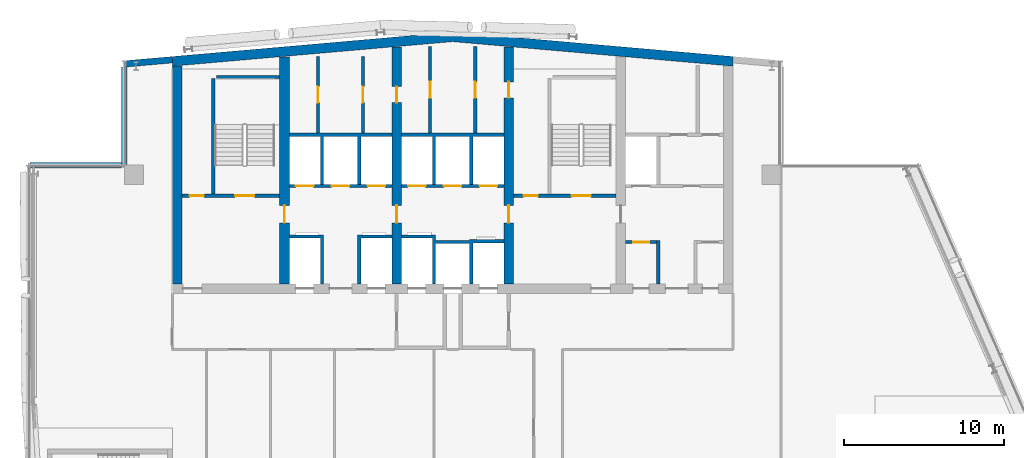
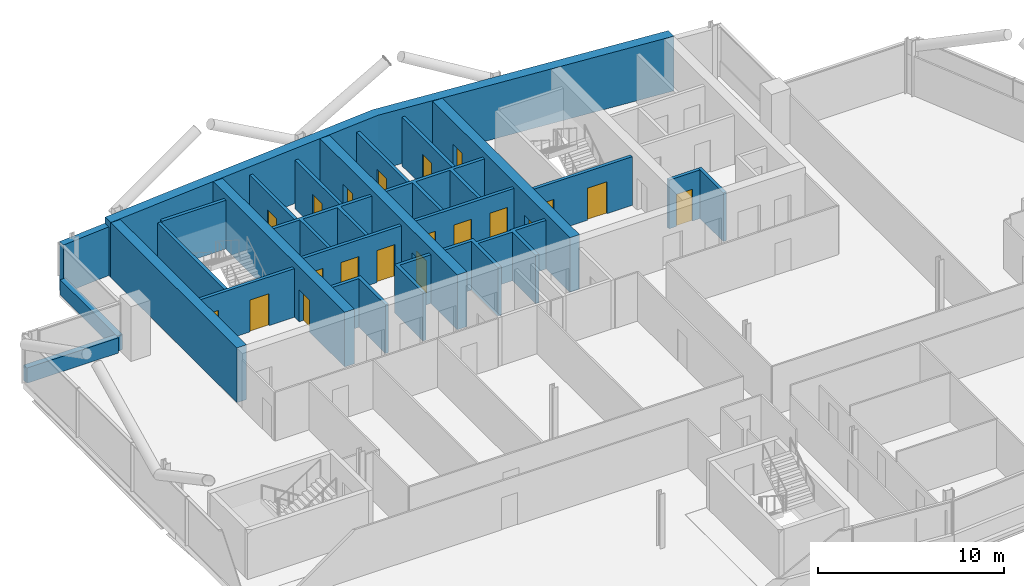
# One storey, part 18 of 26: 25 walls, 20 doors, 20 openings.
"""IFC4 building model written with IfcOpenShell, lengths in metres."""

import ifcopenshell
import ifcopenshell.guid

model = None  # the IFC model being written
_history = None  # IfcOwnerHistory: only IFC2X3 demands one
_inside = {}  # id of a spatial element -> (the spatial element, [elements in it])
_under = {}  # id of a project, library or spatial element -> (it, [spatial elements below it])
_declared = {}  # id of a project -> (the project, [libraries it declares])
_typed = {}  # id of a type object -> (the type object, [elements of that type])
_made_of = {}  # id of a material, layer set ... -> (it, [elements and type objects made of it])


def new_model(schema):
    """Start an empty IFC model of exactly this schema.

    Asked for "IFC4X3", IfcOpenShell would pick the latest addendum, in which some entities
    have other attributes; the version numbers below select the first issue.
    IFC2X3 requires an IfcOwnerHistory on every rooted entity: one is made here for all.
    """
    global model, _history
    if schema == "IFC4X3":
        model = ifcopenshell.file(schema_version=(4, 3, 0, 0))
    else:
        model = ifcopenshell.file(schema=schema)
    _inside.clear()
    _under.clear()
    _declared.clear()
    _typed.clear()
    _made_of.clear()
    _history = None
    if model.schema == "IFC2X3":
        org = make("IfcOrganization", Name="unknown")
        user = make(
            "IfcPersonAndOrganization",
            ThePerson=make("IfcPerson", FamilyName="unknown"),
            TheOrganization=org,
        )
        app = make(
            "IfcApplication",
            ApplicationDeveloper=org,
            Version="unknown",
            ApplicationFullName="unknown",
            ApplicationIdentifier="unknown",
        )
        _history = make(
            "IfcOwnerHistory",
            OwningUser=user,
            OwningApplication=app,
            ChangeAction="ADDED",
            CreationDate=0,
        )
    return model


def make(cls, **values):
    """One entity of the class cls with the attributes given. An attribute that is None is left unset."""
    return model.create_entity(
        cls, **{name: value for name, value in values.items() if value is not None}
    )


def rooted(cls, **values):
    """An entity with a GlobalId (a new one), such as an element, a storey or a relation."""
    return make(cls, GlobalId=ifcopenshell.guid.new(), OwnerHistory=_history, **values)


def si_unit(unit_type, name, prefix=None):
    """IfcSIUnit, for example si_unit("LENGTHUNIT", "METRE", prefix="MILLI")."""
    return make("IfcSIUnit", UnitType=unit_type, Prefix=prefix, Name=name)


def assignment(units):
    """IfcUnitAssignment: the units of a project."""
    return None if units is None else make("IfcUnitAssignment", Units=units)


def point(xyz):
    """IfcCartesianPoint."""
    return None if xyz is None else make("IfcCartesianPoint", Coordinates=xyz)


def direction(xyz):
    """IfcDirection."""
    return None if xyz is None else make("IfcDirection", DirectionRatios=xyz)


def frame(location, z_axis=None, x_axis=None):
    """IfcAxis2Placement3D, a coordinate frame: its origin and axes. An axis left out is left unset."""
    return make(
        "IfcAxis2Placement3D",
        Location=point(location),
        Axis=direction(z_axis),
        RefDirection=direction(x_axis),
    )


def frame_2d(location, x_axis=None):
    """IfcAxis2Placement2D, a coordinate frame in the plane: its origin and x axis."""
    return make(
        "IfcAxis2Placement2D", Location=point(location), RefDirection=direction(x_axis)
    )


def origin():
    """The frame at (0, 0, 0) with its axes left unset."""
    return frame((0.0, 0.0, 0.0))


def place(relative_to, where):
    """IfcLocalPlacement: puts the frame where relative to a parent placement (None: the world)."""
    return make(
        "IfcLocalPlacement", PlacementRelTo=relative_to, RelativePlacement=where
    )


def context(
    kind, dimensions, precision=None, world=None, true_north=None, identifier=None
):
    """IfcGeometricRepresentationContext, for example the 3D "Model" context."""
    return make(
        "IfcGeometricRepresentationContext",
        ContextIdentifier=identifier,
        ContextType=kind,
        CoordinateSpaceDimension=dimensions,
        Precision=precision,
        WorldCoordinateSystem=world,
        TrueNorth=true_north,
    )


def subcontext(parent, identifier, kind, view, scale=None):
    """IfcGeometricRepresentationSubContext, for example "Body" below "Model"."""
    return make(
        "IfcGeometricRepresentationSubContext",
        ContextIdentifier=identifier,
        ContextType=kind,
        ParentContext=parent,
        TargetScale=scale,
        TargetView=view,
    )


def project(units=None, contexts=None):
    """IfcProject with its units and contexts."""
    return rooted(
        "IfcProject",
        Name="project",
        RepresentationContexts=contexts,
        UnitsInContext=assignment(units),
    )


def spatial(cls, under=None, at=None, **own):
    """A site, building, storey or space (cls), placed at a placement, below another one or the project."""
    s = rooted(cls, ObjectPlacement=at, **own)
    if under is not None:
        _under.setdefault(under.id(), (under, []))[1].append(s)
    return s


def polyline(points):
    """IfcPolyline through the points."""
    return make("IfcPolyline", Points=[point(p) for p in points])


def profile(cls, at=None, kind="AREA", **sizes):
    """A parametric profile (cls). Its sizes go by their IFC names, for example OverallWidth=200.0."""
    return make(cls, ProfileType=kind, Position=at, **sizes)


def rectangle(**sizes):
    """IfcRectangleProfileDef."""
    return profile("IfcRectangleProfileDef", **sizes)


def outline(outer, holes=None, kind="AREA"):
    """IfcArbitraryClosedProfileDef: a profile drawn as a closed curve; with holes, ...WithVoids."""
    if holes is None:
        return make("IfcArbitraryClosedProfileDef", ProfileType=kind, OuterCurve=outer)
    return make(
        "IfcArbitraryProfileDefWithVoids",
        ProfileType=kind,
        OuterCurve=outer,
        InnerCurves=holes,
    )


def extrude(swept, where, along, depth):
    """IfcExtrudedAreaSolid: the profile swept, set in the frame where, extruded along a direction by depth."""
    return make(
        "IfcExtrudedAreaSolid",
        SweptArea=swept,
        Position=where,
        ExtrudedDirection=direction(along),
        Depth=depth,
    )


def shape(context_of_items, identifier, shape_type, items):
    """IfcShapeRepresentation: the items that make up one representation, for example the "Body"."""
    return make(
        "IfcShapeRepresentation",
        ContextOfItems=context_of_items,
        RepresentationIdentifier=identifier,
        RepresentationType=shape_type,
        Items=items,
    )


def material(Name=None, Category=None):
    """IfcMaterial."""
    return make("IfcMaterial", Name=Name, Category=Category)


def layer(
    of_material, thickness, ventilated=None, Name=None, Category=None, Priority=None
):
    """IfcMaterialLayer: one layer of a wall or slab, of a material (None: an air gap)."""
    return make(
        "IfcMaterialLayer",
        Material=of_material,
        LayerThickness=thickness,
        IsVentilated=ventilated,
        Name=Name,
        Category=Category,
        Priority=Priority,
    )


def layer_set(layers, Name=None):
    """IfcMaterialLayerSet."""
    return make("IfcMaterialLayerSet", MaterialLayers=layers, LayerSetName=Name)


def made_of(thing, what):
    """Note that an element or type object is made of a material, layer set ...; save() writes the relation."""
    if what is not None:
        _made_of.setdefault(what.id(), (what, []))[1].append(thing)
    return thing


def type_object(cls, material=None, **own):
    """A type object (cls), such as IfcWallType, which elements share."""
    return made_of(rooted(cls, **own), material)


def element(
    cls,
    number,
    at=None,
    inside=None,
    cuts=None,
    type_object=None,
    material=None,
    context=None,
    identifier="Body",
    shape_type=None,
    held_by="IfcProductDefinitionShape",
    body=None,
    shapes=None,
    **own,
):
    """One element of the class cls, such as IfcWall. Its Tag is "e" and its number.

    at: its placement. inside: the storey or other place that contains it. cuts: it is an
    opening in that element (IfcRelVoidsElement). A single representation is given by context,
    identifier, shape_type and body (its items); several are given by shapes. held_by: the class
    of the entity that holds the representations. save() writes the other relations.
    """
    e = rooted(cls, Tag="e%d" % number, ObjectPlacement=at, **own)
    if body is not None:
        shapes = [shape(context, identifier, shape_type, body)]
    if shapes is not None:
        e.Representation = make(held_by, Representations=shapes)
    if inside is not None:
        _inside.setdefault(inside.id(), (inside, []))[1].append(e)
    if cuts is not None:
        rooted(
            "IfcRelVoidsElement", RelatingBuildingElement=cuts, RelatedOpeningElement=e
        )
    if type_object is not None:
        _typed.setdefault(type_object.id(), (type_object, []))[1].append(e)
    return made_of(e, material)


def fill(opening, filler):
    """IfcRelFillsElement: the door or window that sits in an opening."""
    return rooted(
        "IfcRelFillsElement",
        RelatingOpeningElement=opening,
        RelatedBuildingElement=filler,
    )


def aggregate(whole, parts):
    """IfcRelAggregates: a whole, such as a stair, and the parts it consists of."""
    return rooted("IfcRelAggregates", RelatingObject=whole, RelatedObjects=parts)


def save(model, path):
    """Write the relations noted so far, then the file.

    IfcRelAggregates (storeys below a building ...), IfcRelContainedInSpatialStructure (elements
    in a storey), IfcRelDefinesByType, IfcRelAssociatesMaterial and IfcRelDeclares: one each for
    every whole, place, type object, material and project.
    """
    for whole, parts in _under.values():
        aggregate(whole, parts)
    for where, things in _inside.values():
        rooted(
            "IfcRelContainedInSpatialStructure",
            RelatedElements=things,
            RelatingStructure=where,
        )
    for kind, things in _typed.values():
        rooted("IfcRelDefinesByType", RelatedObjects=things, RelatingType=kind)
    for what, things in _made_of.values():
        rooted("IfcRelAssociatesMaterial", RelatedObjects=things, RelatingMaterial=what)
    for by, libraries in _declared.values():
        rooted("IfcRelDeclares", RelatingContext=by, RelatedDefinitions=libraries)
    model.write(path)


model = new_model("IFC4")

# Units and contexts
model_context = context("Model", 3, precision=1e-05, world=origin(), true_north=direction((0.0, 1.0)))
body_context = subcontext(model_context, "Body", "Model", "MODEL_VIEW")
ifc_project = project(units=[si_unit("LENGTHUNIT", "METRE"), si_unit("AREAUNIT", "SQUARE_METRE"), si_unit("VOLUMEUNIT", "CUBIC_METRE"), si_unit("PLANEANGLEUNIT", "RADIAN"), si_unit("MASSUNIT", "GRAM", prefix="KILO")], contexts=[model_context])

# Site, building, storey
site_placement = place(None, origin())
site = spatial("IfcSite", under=ifc_project, at=site_placement, CompositionType="ELEMENT")
building_placement = place(site_placement, origin())
building = spatial("IfcBuilding", under=site, at=building_placement, Name="Wharfspan Tower", CompositionType="ELEMENT")
storey_placement = place(building_placement, frame((0.0, 0.0, 217.899902)))
storey = spatial("IfcBuildingStorey", under=building, at=storey_placement, Name="L54", CompositionType="ELEMENT", Elevation=217.899902)

# Wall, opening, door
ifc_material_1 = material(Name="Calcium silicate masonry", Category="masonry")
ifc_layer_1 = layer(ifc_material_1, 0.199951)
ifc_layer_set_1 = layer_set([ifc_layer_1], Name="Calcium silicate masonry")
wall_type_1 = type_object("IfcWallType", Name="Core room wall 200", PredefinedType="PARTITIONING", material=ifc_layer_set_1)
wall_1_placement = place(storey_placement, frame((32.092041, 44.0, 0.0), z_axis=(0.0, 0.0, 1.0), x_axis=(0.0, 1.0, 0.0)))
wall_1 = element("IfcWall", 1, at=wall_1_placement, inside=storey, type_object=wall_type_1, Name="sw:L54:RP3.1", PredefinedType="PARTITIONING", context=body_context, shape_type="SweptSolid", body=[
    extrude(rectangle(XDim=4.803711, YDim=0.199951, at=frame_2d((2.401855, 0.0))), origin(), (0.0, 0.0, 1.0), 3.200195),
])
opening_1_placement = place(wall_1_placement, frame((1.901855, 0.0, 0.0)))
opening_1 = element("IfcOpeningElement", 2, at=opening_1_placement, cuts=wall_1, Name="Opening CD54.3P1", PredefinedType="OPENING", context=body_context, shape_type="SweptSolid", body=[
    extrude(rectangle(XDim=1.0, YDim=2.100098, at=frame_2d((0.5, 1.050049))), frame((0.0, 0.109863, 0.0), z_axis=(0.0, -1.0, 0.0), x_axis=(1.0, 0.0, 0.0)), (0.0, 0.0, 1.0), 0.219971),
])
ifc_material_2 = material(Name="Steel door leaf", Category="steel")
door_type_1 = type_object("IfcDoorType", Name="Core room door 1000x2100", OperationType="SINGLE_SWING_LEFT", PredefinedType="DOOR", material=ifc_material_2)
door_1_placement = place(opening_1_placement, origin())
door_1 = element("IfcDoor", 3, at=door_1_placement, inside=storey, type_object=door_type_1, Name="d:L54:3:rp1", OperationType="SINGLE_SWING_LEFT", OverallHeight=2.100098, OverallWidth=1.0, PredefinedType="DOOR", context=body_context, shape_type="SweptSolid", body=[
    extrude(rectangle(XDim=1.0, YDim=2.100098, at=frame_2d((0.5, 1.050049))), frame((0.0, 0.024902, 0.0), z_axis=(0.0, -1.0, 0.0), x_axis=(1.0, 0.0, 0.0)), (0.0, 0.0, 1.0), 0.050049),
])
fill(opening_1, door_1)

wall_2_placement = place(storey_placement, frame((34.907959, 44.0, 0.0), z_axis=(0.0, 0.0, 1.0), x_axis=(0.0, 1.0, 0.0)))
wall_2 = element("IfcWall", 4, at=wall_2_placement, inside=storey, type_object=wall_type_1, Name="sw:L54:RP3.2", PredefinedType="PARTITIONING", context=body_context, shape_type="SweptSolid", body=[
    extrude(rectangle(XDim=4.803711, YDim=0.199951, at=frame_2d((2.401855, 0.0))), origin(), (0.0, 0.0, 1.0), 3.200195),
])
opening_2_placement = place(wall_2_placement, frame((1.901855, 0.0, 0.0)))
opening_2 = element("IfcOpeningElement", 5, at=opening_2_placement, cuts=wall_2, Name="Opening CD54.3P2", PredefinedType="OPENING", context=body_context, shape_type="SweptSolid", body=[
    extrude(rectangle(XDim=1.0, YDim=2.100098, at=frame_2d((0.5, 1.050049))), frame((0.0, 0.109863, 0.0), z_axis=(0.0, -1.0, 0.0), x_axis=(1.0, 0.0, 0.0)), (0.0, 0.0, 1.0), 0.219971),
])
door_2_placement = place(opening_2_placement, origin())
door_2 = element("IfcDoor", 6, at=door_2_placement, inside=storey, type_object=door_type_1, Name="d:L54:3:rp2", OperationType="SINGLE_SWING_LEFT", OverallHeight=2.100098, OverallWidth=1.0, PredefinedType="DOOR", context=body_context, shape_type="SweptSolid", body=[
    extrude(rectangle(XDim=1.0, YDim=2.100098, at=frame_2d((0.5, 1.050049))), frame((0.0, 0.024902, 0.0), z_axis=(0.0, -1.0, 0.0), x_axis=(1.0, 0.0, 0.0)), (0.0, 0.0, 1.0), 0.050049),
])
fill(opening_2, door_2)

wall_3_placement = place(storey_placement, frame((39.092041, 44.0, 0.0), z_axis=(0.0, 0.0, 1.0), x_axis=(0.0, 1.0, 0.0)))
wall_3 = element("IfcWall", 7, at=wall_3_placement, inside=storey, type_object=wall_type_1, Name="sw:L54:RP4.1", PredefinedType="PARTITIONING", context=body_context, shape_type="SweptSolid", body=[
    extrude(rectangle(XDim=5.41626, YDim=0.199951, at=frame_2d((2.708008, 0.0))), origin(), (0.0, 0.0, 1.0), 3.200195),
])
opening_3_placement = place(wall_3_placement, frame((2.208008, 0.0, 0.0)))
opening_3 = element("IfcOpeningElement", 8, at=opening_3_placement, cuts=wall_3, Name="Opening CD54.4P1", PredefinedType="OPENING", context=body_context, shape_type="SweptSolid", body=[
    extrude(rectangle(XDim=1.0, YDim=2.100098, at=frame_2d((0.5, 1.050049))), frame((0.0, 0.109863, 0.0), z_axis=(0.0, -1.0, 0.0), x_axis=(1.0, 0.0, 0.0)), (0.0, 0.0, 1.0), 0.219971),
])
door_3_placement = place(opening_3_placement, origin())
door_3 = element("IfcDoor", 9, at=door_3_placement, inside=storey, type_object=door_type_1, Name="d:L54:4:rp1", OperationType="SINGLE_SWING_LEFT", OverallHeight=2.100098, OverallWidth=1.0, PredefinedType="DOOR", context=body_context, shape_type="SweptSolid", body=[
    extrude(rectangle(XDim=1.0, YDim=2.100098, at=frame_2d((0.5, 1.050049))), frame((0.0, 0.024902, 0.0), z_axis=(0.0, -1.0, 0.0), x_axis=(1.0, 0.0, 0.0)), (0.0, 0.0, 1.0), 0.050049),
])
fill(opening_3, door_3)

wall_4_placement = place(storey_placement, frame((41.907959, 44.0, 0.0), z_axis=(0.0, 0.0, 1.0), x_axis=(0.0, 1.0, 0.0)))
wall_4 = element("IfcWall", 10, at=wall_4_placement, inside=storey, type_object=wall_type_1, Name="sw:L54:RP4.2", PredefinedType="PARTITIONING", context=body_context, shape_type="SweptSolid", body=[
    extrude(rectangle(XDim=5.41626, YDim=0.199951, at=frame_2d((2.708008, 0.0))), origin(), (0.0, 0.0, 1.0), 3.200195),
])
opening_4_placement = place(wall_4_placement, frame((2.208008, 0.0, 0.0)))
opening_4 = element("IfcOpeningElement", 11, at=opening_4_placement, cuts=wall_4, Name="Opening CD54.4P2", PredefinedType="OPENING", context=body_context, shape_type="SweptSolid", body=[
    extrude(rectangle(XDim=1.0, YDim=2.100098, at=frame_2d((0.5, 1.050049))), frame((0.0, 0.109863, 0.0), z_axis=(0.0, -1.0, 0.0), x_axis=(1.0, 0.0, 0.0)), (0.0, 0.0, 1.0), 0.219971),
])
door_4_placement = place(opening_4_placement, origin())
door_4 = element("IfcDoor", 12, at=door_4_placement, inside=storey, type_object=door_type_1, Name="d:L54:4:rp2", OperationType="SINGLE_SWING_LEFT", OverallHeight=2.100098, OverallWidth=1.0, PredefinedType="DOOR", context=body_context, shape_type="SweptSolid", body=[
    extrude(rectangle(XDim=1.0, YDim=2.100098, at=frame_2d((0.5, 1.050049))), frame((0.0, 0.024902, 0.0), z_axis=(0.0, -1.0, 0.0), x_axis=(1.0, 0.0, 0.0)), (0.0, 0.0, 1.0), 0.050049),
])
fill(opening_4, door_4)

wall_5_placement = place(storey_placement, frame((51.300049, 37.199951, 0.0), z_axis=(0.0, 0.0, 1.0), x_axis=(1.0, 0.0, 0.0)))
wall_5 = element("IfcWall", 13, at=wall_5_placement, inside=storey, type_object=wall_type_1, Name="sw:L54:FR6.1", PredefinedType="PARTITIONING", context=body_context, shape_type="SweptSolid", body=[
    extrude(rectangle(XDim=1.93335, YDim=0.199951, at=frame_2d((0.966797, 0.0))), origin(), (0.0, 0.0, 1.0), 3.200195),
])
opening_5_placement = place(wall_5_placement, frame((0.466797, 0.0, 0.0)))
opening_5 = element("IfcOpeningElement", 14, at=opening_5_placement, cuts=wall_5, Name="Opening CD54.6H1", PredefinedType="OPENING", context=body_context, shape_type="SweptSolid", body=[
    extrude(rectangle(XDim=1.0, YDim=2.100098, at=frame_2d((0.5, 1.050049))), frame((0.0, 0.109863, 0.0), z_axis=(0.0, -1.0, 0.0), x_axis=(1.0, 0.0, 0.0)), (0.0, 0.0, 1.0), 0.219971),
])
door_5_placement = place(opening_5_placement, origin())
door_5 = element("IfcDoor", 15, at=door_5_placement, inside=storey, type_object=door_type_1, Name="d:L54:6:fh6.1", OperationType="SINGLE_SWING_RIGHT", OverallHeight=2.100098, OverallWidth=1.0, PredefinedType="DOOR", context=body_context, shape_type="SweptSolid", body=[
    extrude(rectangle(XDim=1.0, YDim=2.100098, at=frame_2d((0.5, 1.050049))), frame((0.0, 0.024902, 0.0), z_axis=(0.0, -1.0, 0.0), x_axis=(1.0, 0.0, 0.0)), (0.0, 0.0, 1.0), 0.050049),
])
fill(opening_5, door_5)

# Walls
ifc_material_3 = material(Name="Concrete C50/60", Category="concrete")
ifc_layer_2 = layer(ifc_material_3, 0.600098)
ifc_layer_set_2 = layer_set([ifc_layer_2], Name="Concrete C50/60")
wall_type_2 = type_object("IfcWallType", Name="Core wall 600 C50/60", PredefinedType="SHEAR", material=ifc_layer_set_2)
wall_6_placement = place(storey_placement, origin())
element("IfcWall", 16, at=wall_6_placement, inside=storey, type_object=wall_type_2, Name="Core rear wall L54", PredefinedType="SHEAR", context=body_context, shape_type="SweptSolid", body=[
    extrude(outline(polyline([(23.0, 48.185059), (40.5, 49.716064), (58.0, 48.185059), (58.0, 48.787354), (40.5, 50.318359), (23.0, 48.787354), (23.0, 48.185059)])), origin(), (0.0, 0.0, 1.0), 3.600098),
])
wall_7_placement = place(storey_placement, frame((23.300049, 34.600098, 0.0), z_axis=(0.0, 0.0, 1.0), x_axis=(0.0, 1.0, 0.0)))
element("IfcWall", 17, at=wall_7_placement, inside=storey, type_object=wall_type_2, Name="Core cross wall EW0 L54", PredefinedType="SHEAR", context=body_context, shape_type="SweptSolid", body=[
    extrude(rectangle(XDim=13.584961, YDim=0.600098, at=frame_2d((6.79248, 0.0))), origin(), (0.0, 0.0, 1.0), 3.600098),
])

# Wall, opening, door
wall_8_placement = place(storey_placement, frame((30.0, 34.600098, 0.0), z_axis=(0.0, 0.0, 1.0), x_axis=(0.0, 1.0, 0.0)))
wall_8 = element("IfcWall", 18, at=wall_8_placement, inside=storey, type_object=wall_type_2, Name="Core cross wall X3 L54", PredefinedType="SHEAR", context=body_context, shape_type="SweptSolid", body=[
    extrude(rectangle(XDim=14.171143, YDim=0.600098, at=frame_2d((7.085449, 0.0))), origin(), (0.0, 0.0, 1.0), 3.600098),
])
opening_6_placement = place(wall_8_placement, frame((3.800049, 0.0, 0.0)))
opening_6 = element("IfcOpeningElement", 19, at=opening_6_placement, cuts=wall_8, Name="Opening CC54.3", PredefinedType="OPENING", context=body_context, shape_type="SweptSolid", body=[
    extrude(rectangle(XDim=1.100098, YDim=2.100098, at=frame_2d((0.550049, 1.050049))), frame((0.0, 0.310059, 0.0), z_axis=(0.0, -1.0, 0.0), x_axis=(1.0, 0.0, 0.0)), (0.0, 0.0, 1.0), 0.620117),
])
door_type_2 = type_object("IfcDoorType", Name="Core corridor door 1100x2100", OperationType="SINGLE_SWING_LEFT", PredefinedType="DOOR", material=ifc_material_2)
door_6_placement = place(opening_6_placement, origin())
door_6 = element("IfcDoor", 20, at=door_6_placement, inside=storey, type_object=door_type_2, Name="xd:L54:3", OperationType="SINGLE_SWING_LEFT", OverallHeight=2.100098, OverallWidth=1.100098, PredefinedType="DOOR", context=body_context, shape_type="SweptSolid", body=[
    extrude(rectangle(XDim=1.100098, YDim=2.100098, at=frame_2d((0.550049, 1.050049))), frame((0.0, 0.024902, 0.0), z_axis=(0.0, -1.0, 0.0), x_axis=(1.0, 0.0, 0.0)), (0.0, 0.0, 1.0), 0.050049),
])
fill(opening_6, door_6)

# Wall, openings, doors
wall_9_placement = place(storey_placement, frame((37.0, 34.600098, 0.0), z_axis=(0.0, 0.0, 1.0), x_axis=(0.0, 1.0, 0.0)))
wall_9 = element("IfcWall", 21, at=wall_9_placement, inside=storey, type_object=wall_type_2, Name="Core cross wall X4 L54", PredefinedType="SHEAR", context=body_context, shape_type="SweptSolid", body=[
    extrude(rectangle(XDim=14.783691, YDim=0.600098, at=frame_2d((7.391846, 0.0))), origin(), (0.0, 0.0, 1.0), 3.600098),
])
opening_7_placement = place(wall_9_placement, frame((11.302002, 0.0, 0.0)))
opening_7 = element("IfcOpeningElement", 22, at=opening_7_placement, cuts=wall_9, Name="Opening CD54.3X", PredefinedType="OPENING", context=body_context, shape_type="SweptSolid", body=[
    extrude(rectangle(XDim=1.0, YDim=2.100098, at=frame_2d((0.5, 1.050049))), frame((0.0, 0.310059, 0.0), z_axis=(0.0, -1.0, 0.0), x_axis=(1.0, 0.0, 0.0)), (0.0, 0.0, 1.0), 0.620117),
])
opening_8_placement = place(wall_9_placement, frame((3.800049, 0.0, 0.0)))
opening_8 = element("IfcOpeningElement", 23, at=opening_8_placement, cuts=wall_9, Name="Opening CC54.4", PredefinedType="OPENING", context=body_context, shape_type="SweptSolid", body=[
    extrude(rectangle(XDim=1.100098, YDim=2.100098, at=frame_2d((0.550049, 1.050049))), frame((0.0, 0.310059, 0.0), z_axis=(0.0, -1.0, 0.0), x_axis=(1.0, 0.0, 0.0)), (0.0, 0.0, 1.0), 0.620117),
])
door_7_placement = place(opening_8_placement, origin())
door_7 = element("IfcDoor", 24, at=door_7_placement, inside=storey, type_object=door_type_2, Name="xd:L54:4", OperationType="SINGLE_SWING_RIGHT", OverallHeight=2.100098, OverallWidth=1.100098, PredefinedType="DOOR", context=body_context, shape_type="SweptSolid", body=[
    extrude(rectangle(XDim=1.100098, YDim=2.100098, at=frame_2d((0.550049, 1.050049))), frame((0.0, 0.024902, 0.0), z_axis=(0.0, -1.0, 0.0), x_axis=(1.0, 0.0, 0.0)), (0.0, 0.0, 1.0), 0.050049),
])
fill(opening_8, door_7)
door_8_placement = place(opening_7_placement, origin())
door_8 = element("IfcDoor", 25, at=door_8_placement, inside=storey, type_object=door_type_1, Name="d:L54:3:sx", OperationType="SINGLE_SWING_LEFT", OverallHeight=2.100098, OverallWidth=1.0, PredefinedType="DOOR", context=body_context, shape_type="SweptSolid", body=[
    extrude(rectangle(XDim=1.0, YDim=2.100098, at=frame_2d((0.5, 1.050049))), frame((0.0, 0.024902, 0.0), z_axis=(0.0, -1.0, 0.0), x_axis=(1.0, 0.0, 0.0)), (0.0, 0.0, 1.0), 0.050049),
])
fill(opening_7, door_8)

wall_10_placement = place(storey_placement, frame((44.0, 34.600098, 0.0), z_axis=(0.0, 0.0, 1.0), x_axis=(0.0, 1.0, 0.0)))
wall_10 = element("IfcWall", 26, at=wall_10_placement, inside=storey, type_object=wall_type_2, Name="Core cross wall X5 L54", PredefinedType="SHEAR", context=body_context, shape_type="SweptSolid", body=[
    extrude(rectangle(XDim=14.783691, YDim=0.600098, at=frame_2d((7.391846, 0.0))), origin(), (0.0, 0.0, 1.0), 3.600098),
])
opening_9_placement = place(wall_10_placement, frame((11.608154, 0.0, 0.0)))
opening_9 = element("IfcOpeningElement", 27, at=opening_9_placement, cuts=wall_10, Name="Opening CD54.4X", PredefinedType="OPENING", context=body_context, shape_type="SweptSolid", body=[
    extrude(rectangle(XDim=1.0, YDim=2.100098, at=frame_2d((0.5, 1.050049))), frame((0.0, 0.310059, 0.0), z_axis=(0.0, -1.0, 0.0), x_axis=(1.0, 0.0, 0.0)), (0.0, 0.0, 1.0), 0.620117),
])
opening_10_placement = place(wall_10_placement, frame((3.800049, 0.0, 0.0)))
opening_10 = element("IfcOpeningElement", 28, at=opening_10_placement, cuts=wall_10, Name="Opening CC54.5", PredefinedType="OPENING", context=body_context, shape_type="SweptSolid", body=[
    extrude(rectangle(XDim=1.100098, YDim=2.100098, at=frame_2d((0.550049, 1.050049))), frame((0.0, 0.310059, 0.0), z_axis=(0.0, -1.0, 0.0), x_axis=(1.0, 0.0, 0.0)), (0.0, 0.0, 1.0), 0.620117),
])
door_9_placement = place(opening_10_placement, origin())
door_9 = element("IfcDoor", 29, at=door_9_placement, inside=storey, type_object=door_type_2, Name="xd:L54:5", OperationType="SINGLE_SWING_LEFT", OverallHeight=2.100098, OverallWidth=1.100098, PredefinedType="DOOR", context=body_context, shape_type="SweptSolid", body=[
    extrude(rectangle(XDim=1.100098, YDim=2.100098, at=frame_2d((0.550049, 1.050049))), frame((0.0, 0.024902, 0.0), z_axis=(0.0, -1.0, 0.0), x_axis=(1.0, 0.0, 0.0)), (0.0, 0.0, 1.0), 0.050049),
])
fill(opening_10, door_9)
door_10_placement = place(opening_9_placement, origin())
door_10 = element("IfcDoor", 30, at=door_10_placement, inside=storey, type_object=door_type_1, Name="d:L54:4:sx", OperationType="SINGLE_SWING_LEFT", OverallHeight=2.100098, OverallWidth=1.0, PredefinedType="DOOR", context=body_context, shape_type="SweptSolid", body=[
    extrude(rectangle(XDim=1.0, YDim=2.100098, at=frame_2d((0.5, 1.050049))), frame((0.0, 0.024902, 0.0), z_axis=(0.0, -1.0, 0.0), x_axis=(1.0, 0.0, 0.0)), (0.0, 0.0, 1.0), 0.050049),
])
fill(opening_9, door_10)

ifc_material_4 = material(Name="Concrete C30/37", Category="concrete")
ifc_layer_3 = layer(ifc_material_4, 0.199951)
ifc_layer_set_3 = layer_set([ifc_layer_3], Name="Concrete C30/37")
wall_type_3 = type_object("IfcWallType", Name="Lift shaft wall 200", PredefinedType="PARTITIONING", material=ifc_layer_set_3)
wall_11_placement = place(storey_placement, frame((30.300049, 40.699951, 0.0), z_axis=(0.0, 0.0, 1.0), x_axis=(1.0, 0.0, 0.0)))
wall_11 = element("IfcWall", 31, at=wall_11_placement, inside=storey, type_object=wall_type_3, Name="sw:L54:RF3", PredefinedType="PARTITIONING", context=body_context, shape_type="SweptSolid", body=[
    extrude(rectangle(XDim=6.399902, YDim=0.199951, at=frame_2d((3.199951, 0.0))), origin(), (0.0, 0.0, 1.0), 3.200195),
])
opening_11_placement = place(wall_11_placement, frame((0.416748, 0.0, 0.0)))
opening_11 = element("IfcOpeningElement", 32, at=opening_11_placement, cuts=wall_11, Name="Opening LD.LB1.L54", PredefinedType="OPENING", context=body_context, shape_type="SweptSolid", body=[
    extrude(rectangle(XDim=1.100098, YDim=2.100098, at=frame_2d((0.550049, 1.050049))), frame((0.0, 0.109863, 0.0), z_axis=(0.0, -1.0, 0.0), x_axis=(1.0, 0.0, 0.0)), (0.0, 0.0, 1.0), 0.219971),
])
opening_12_placement = place(wall_11_placement, frame((2.649902, 0.0, 0.0)))
opening_12 = element("IfcOpeningElement", 33, at=opening_12_placement, cuts=wall_11, Name="Opening LD.LB2.L54", PredefinedType="OPENING", context=body_context, shape_type="SweptSolid", body=[
    extrude(rectangle(XDim=1.100098, YDim=2.100098, at=frame_2d((0.550049, 1.050049))), frame((0.0, 0.109863, 0.0), z_axis=(0.0, -1.0, 0.0), x_axis=(1.0, 0.0, 0.0)), (0.0, 0.0, 1.0), 0.219971),
])
opening_13_placement = place(wall_11_placement, frame((4.883301, 0.0, 0.0)))
opening_13 = element("IfcOpeningElement", 34, at=opening_13_placement, cuts=wall_11, Name="Opening LD.LB3.L54", PredefinedType="OPENING", context=body_context, shape_type="SweptSolid", body=[
    extrude(rectangle(XDim=1.100098, YDim=2.100098, at=frame_2d((0.550049, 1.050049))), frame((0.0, 0.109863, 0.0), z_axis=(0.0, -1.0, 0.0), x_axis=(1.0, 0.0, 0.0)), (0.0, 0.0, 1.0), 0.219971),
])
ifc_material_5 = material(Name="Stainless steel", Category="steel")
door_type_3 = type_object("IfcDoorType", Name="Lift landing door 1100x2100", OperationType="DOUBLE_DOOR_SLIDING", PredefinedType="DOOR", material=ifc_material_5)
door_11_placement = place(opening_11_placement, origin())
door_11 = element("IfcDoor", 35, at=door_11_placement, inside=storey, type_object=door_type_3, Name="Landing door LB1 L54", OperationType="DOUBLE_DOOR_SLIDING", OverallHeight=2.100098, OverallWidth=1.100098, PredefinedType="DOOR", context=body_context, shape_type="SweptSolid", body=[
    extrude(rectangle(XDim=1.100098, YDim=2.100098, at=frame_2d((0.550049, 1.050049))), frame((0.0, 0.024902, 0.0), z_axis=(0.0, -1.0, 0.0), x_axis=(1.0, 0.0, 0.0)), (0.0, 0.0, 1.0), 0.050049),
])
fill(opening_11, door_11)
door_12_placement = place(opening_12_placement, origin())
door_12 = element("IfcDoor", 36, at=door_12_placement, inside=storey, type_object=door_type_3, Name="Landing door LB2 L54", OperationType="DOUBLE_DOOR_SLIDING", OverallHeight=2.100098, OverallWidth=1.100098, PredefinedType="DOOR", context=body_context, shape_type="SweptSolid", body=[
    extrude(rectangle(XDim=1.100098, YDim=2.100098, at=frame_2d((0.550049, 1.050049))), frame((0.0, 0.024902, 0.0), z_axis=(0.0, -1.0, 0.0), x_axis=(1.0, 0.0, 0.0)), (0.0, 0.0, 1.0), 0.050049),
])
fill(opening_12, door_12)
door_13_placement = place(opening_13_placement, origin())
door_13 = element("IfcDoor", 37, at=door_13_placement, inside=storey, type_object=door_type_3, Name="Landing door LB3 L54", OperationType="DOUBLE_DOOR_SLIDING", OverallHeight=2.100098, OverallWidth=1.100098, PredefinedType="DOOR", context=body_context, shape_type="SweptSolid", body=[
    extrude(rectangle(XDim=1.100098, YDim=2.100098, at=frame_2d((0.550049, 1.050049))), frame((0.0, 0.024902, 0.0), z_axis=(0.0, -1.0, 0.0), x_axis=(1.0, 0.0, 0.0)), (0.0, 0.0, 1.0), 0.050049),
])
fill(opening_13, door_13)

# Walls
wall_12_placement = place(storey_placement, origin())
element("IfcWall", 38, at=wall_12_placement, inside=storey, type_object=wall_type_3, Name="sw:L54:FM3.0", PredefinedType="PARTITIONING", context=body_context, shape_type="SweptSolid", body=[
    extrude(outline(polyline([(32.233398, 37.449951), (30.300049, 37.449951), (30.300049, 37.649902), (32.233398, 37.649902), (32.43335, 37.649902), (32.43335, 34.600098), (32.233398, 34.600098), (32.233398, 37.449951)])), origin(), (0.0, 0.0, 1.0), 3.200195),
])
wall_13_placement = place(storey_placement, origin())
element("IfcWall", 39, at=wall_13_placement, inside=storey, type_object=wall_type_3, Name="sw:L54:FM3.1", PredefinedType="PARTITIONING", context=body_context, shape_type="SweptSolid", body=[
    extrude(outline(polyline([(34.56665, 37.649902), (34.766602, 37.649902), (36.699951, 37.649902), (36.699951, 37.449951), (34.766602, 37.449951), (34.766602, 34.600098), (34.56665, 34.600098), (34.56665, 37.649902)])), origin(), (0.0, 0.0, 1.0), 3.200195),
])
wall_14_placement = place(storey_placement, origin())
element("IfcWall", 40, at=wall_14_placement, inside=storey, type_object=wall_type_3, Name="sw:L54:RM3.0", PredefinedType="PARTITIONING", context=body_context, shape_type="SweptSolid", body=[
    extrude(outline(polyline([(32.43335, 40.800049), (32.233398, 40.800049), (32.233398, 43.800049), (30.300049, 43.800049), (30.300049, 44.0), (36.699951, 44.0), (36.699951, 43.800049), (34.766602, 43.800049), (34.766602, 40.800049), (34.56665, 40.800049), (34.56665, 43.800049), (32.43335, 43.800049), (32.43335, 40.800049)])), origin(), (0.0, 0.0, 1.0), 3.200195),
])

# Wall, openings, doors
wall_15_placement = place(storey_placement, frame((37.300049, 40.699951, 0.0), z_axis=(0.0, 0.0, 1.0), x_axis=(1.0, 0.0, 0.0)))
wall_15 = element("IfcWall", 41, at=wall_15_placement, inside=storey, type_object=wall_type_3, Name="sw:L54:RF4", PredefinedType="PARTITIONING", context=body_context, shape_type="SweptSolid", body=[
    extrude(rectangle(XDim=6.399902, YDim=0.199951, at=frame_2d((3.199951, 0.0))), origin(), (0.0, 0.0, 1.0), 3.200195),
])
opening_14_placement = place(wall_15_placement, frame((0.416748, 0.0, 0.0)))
opening_14 = element("IfcOpeningElement", 42, at=opening_14_placement, cuts=wall_15, Name="Opening LD.LB4.L54", PredefinedType="OPENING", context=body_context, shape_type="SweptSolid", body=[
    extrude(rectangle(XDim=1.100098, YDim=2.100098, at=frame_2d((0.550049, 1.050049))), frame((0.0, 0.109863, 0.0), z_axis=(0.0, -1.0, 0.0), x_axis=(1.0, 0.0, 0.0)), (0.0, 0.0, 1.0), 0.219971),
])
opening_15_placement = place(wall_15_placement, frame((2.649902, 0.0, 0.0)))
opening_15 = element("IfcOpeningElement", 43, at=opening_15_placement, cuts=wall_15, Name="Opening LD.LB5.L54", PredefinedType="OPENING", context=body_context, shape_type="SweptSolid", body=[
    extrude(rectangle(XDim=1.100098, YDim=2.100098, at=frame_2d((0.550049, 1.050049))), frame((0.0, 0.109863, 0.0), z_axis=(0.0, -1.0, 0.0), x_axis=(1.0, 0.0, 0.0)), (0.0, 0.0, 1.0), 0.219971),
])
opening_16_placement = place(wall_15_placement, frame((4.883301, 0.0, 0.0)))
opening_16 = element("IfcOpeningElement", 44, at=opening_16_placement, cuts=wall_15, Name="Opening LD.LB6.L54", PredefinedType="OPENING", context=body_context, shape_type="SweptSolid", body=[
    extrude(rectangle(XDim=1.100098, YDim=2.100098, at=frame_2d((0.550049, 1.050049))), frame((0.0, 0.109863, 0.0), z_axis=(0.0, -1.0, 0.0), x_axis=(1.0, 0.0, 0.0)), (0.0, 0.0, 1.0), 0.219971),
])
door_14_placement = place(opening_14_placement, origin())
door_14 = element("IfcDoor", 45, at=door_14_placement, inside=storey, type_object=door_type_3, Name="Landing door LB4 L54", OperationType="DOUBLE_DOOR_SLIDING", OverallHeight=2.100098, OverallWidth=1.100098, PredefinedType="DOOR", context=body_context, shape_type="SweptSolid", body=[
    extrude(rectangle(XDim=1.100098, YDim=2.100098, at=frame_2d((0.550049, 1.050049))), frame((0.0, 0.024902, 0.0), z_axis=(0.0, -1.0, 0.0), x_axis=(1.0, 0.0, 0.0)), (0.0, 0.0, 1.0), 0.050049),
])
fill(opening_14, door_14)
door_15_placement = place(opening_15_placement, origin())
door_15 = element("IfcDoor", 46, at=door_15_placement, inside=storey, type_object=door_type_3, Name="Landing door LB5 L54", OperationType="DOUBLE_DOOR_SLIDING", OverallHeight=2.100098, OverallWidth=1.100098, PredefinedType="DOOR", context=body_context, shape_type="SweptSolid", body=[
    extrude(rectangle(XDim=1.100098, YDim=2.100098, at=frame_2d((0.550049, 1.050049))), frame((0.0, 0.024902, 0.0), z_axis=(0.0, -1.0, 0.0), x_axis=(1.0, 0.0, 0.0)), (0.0, 0.0, 1.0), 0.050049),
])
fill(opening_15, door_15)
door_16_placement = place(opening_16_placement, origin())
door_16 = element("IfcDoor", 47, at=door_16_placement, inside=storey, type_object=door_type_3, Name="Landing door LB6 L54", OperationType="DOUBLE_DOOR_SLIDING", OverallHeight=2.100098, OverallWidth=1.100098, PredefinedType="DOOR", context=body_context, shape_type="SweptSolid", body=[
    extrude(rectangle(XDim=1.100098, YDim=2.100098, at=frame_2d((0.550049, 1.050049))), frame((0.0, 0.024902, 0.0), z_axis=(0.0, -1.0, 0.0), x_axis=(1.0, 0.0, 0.0)), (0.0, 0.0, 1.0), 0.050049),
])
fill(opening_16, door_16)

# Walls
wall_16_placement = place(storey_placement, origin())
element("IfcWall", 48, at=wall_16_placement, inside=storey, type_object=wall_type_3, Name="sw:L54:FM4.0", PredefinedType="PARTITIONING", context=body_context, shape_type="SweptSolid", body=[
    extrude(outline(polyline([(41.56665, 37.100098), (39.43335, 37.100098), (39.43335, 34.600098), (39.233398, 34.600098), (39.233398, 37.449951), (37.300049, 37.449951), (37.300049, 37.649902), (39.233398, 37.649902), (39.43335, 37.649902), (39.43335, 37.300049), (41.56665, 37.300049), (41.56665, 37.350098), (41.766602, 37.350098), (43.699951, 37.350098), (43.699951, 37.149902), (41.766602, 37.149902), (41.766602, 34.600098), (41.56665, 34.600098), (41.56665, 37.100098)])), origin(), (0.0, 0.0, 1.0), 3.200195),
])
wall_17_placement = place(storey_placement, origin())
element("IfcWall", 49, at=wall_17_placement, inside=storey, type_object=wall_type_3, Name="sw:L54:RM4.0", PredefinedType="PARTITIONING", context=body_context, shape_type="SweptSolid", body=[
    extrude(outline(polyline([(39.43335, 40.800049), (39.233398, 40.800049), (39.233398, 43.800049), (37.300049, 43.800049), (37.300049, 44.0), (43.699951, 44.0), (43.699951, 43.800049), (41.766602, 43.800049), (41.766602, 40.800049), (41.56665, 40.800049), (41.56665, 43.800049), (39.43335, 43.800049), (39.43335, 40.800049)])), origin(), (0.0, 0.0, 1.0), 3.200195),
])
wall_18_placement = place(storey_placement, origin())
element("IfcWall", 50, at=wall_18_placement, inside=storey, type_object=wall_type_3, Name="sw:L54:FM6.0", PredefinedType="PARTITIONING", context=body_context, shape_type="SweptSolid", body=[
    extrude(outline(polyline([(53.233398, 34.600098), (53.233398, 37.300049), (53.43335, 37.300049), (53.43335, 34.600098), (53.233398, 34.600098)])), origin(), (0.0, 0.0, 1.0), 3.200195),
])
ifc_material_6 = material(Name="Concrete C40/50", Category="concrete")
ifc_layer_4 = layer(ifc_material_6, 0.350098)
ifc_layer_set_4 = layer_set([ifc_layer_4], Name="Concrete C40/50")
wall_type_4 = type_object("IfcWallType", Name="SPANDREL EXPOSED CONCRETE 350", PredefinedType="SOLIDWALL", material=ifc_layer_set_4)
wall_19_placement = place(storey_placement, frame((19.995117, 48.126465, 0.0), z_axis=(0.0, 0.0, 1.0), x_axis=(0.0, -1.0, 0.0)))
element("IfcWall", 51, at=wall_19_placement, inside=storey, type_object=wall_type_4, Name="Spandrel upstand L54 NRW-V", PredefinedType="SOLIDWALL", context=body_context, shape_type="SweptSolid", body=[
    extrude(rectangle(XDim=6.126465, YDim=0.350098, at=frame_2d((3.063232, 0.0))), origin(), (0.0, 0.0, 1.0), 1.0),
])
wall_20_placement = place(storey_placement, frame((19.820068, 42.004883, 0.0), z_axis=(0.0, 0.0, 1.0), x_axis=(-1.0, 0.0, 0.0)))
element("IfcWall", 52, at=wall_20_placement, inside=storey, type_object=wall_type_4, Name="Spandrel upstand L54 NRW-H", PredefinedType="SOLIDWALL", context=body_context, shape_type="SweptSolid", body=[
    extrude(rectangle(XDim=5.699951, YDim=0.350098, at=frame_2d((2.850098, 0.0))), origin(), (0.0, 0.0, 1.0), 1.0),
])

# Wall, openings, doors
ifc_layer_5 = layer(ifc_material_6, 0.199951)
ifc_layer_set_5 = layer_set([ifc_layer_5], Name="Concrete C40/50")
wall_type_5 = type_object("IfcWallType", Name="Stair shaft wall 200", PredefinedType="SHEAR", material=ifc_layer_set_5)
wall_21_placement = place(storey_placement, frame((23.600098, 40.100098, 0.0), z_axis=(0.0, 0.0, 1.0), x_axis=(1.0, 0.0, 0.0)))
wall_21 = element("IfcWall", 53, at=wall_21_placement, inside=storey, type_object=wall_type_5, Name="ST1 stair enclosure wall L54", PredefinedType="SHEAR", context=body_context, shape_type="SweptSolid", body=[
    extrude(rectangle(XDim=6.099854, YDim=0.199951, at=frame_2d((3.049805, 0.0))), origin(), (0.0, 0.0, 1.0), 3.200195),
])
opening_17_placement = place(wall_21_placement, frame((3.324951, 0.0, 0.0)))
opening_17 = element("IfcOpeningElement", 54, at=opening_17_placement, cuts=wall_21, Name="Opening SD2.L54", PredefinedType="OPENING", context=body_context, shape_type="SweptSolid", body=[
    extrude(rectangle(XDim=1.199951, YDim=2.100098, at=frame_2d((0.600098, 1.050049))), frame((0.0, 0.109863, 0.0), z_axis=(0.0, -1.0, 0.0), x_axis=(1.0, 0.0, 0.0)), (0.0, 0.0, 1.0), 0.219971),
])
opening_18_placement = place(wall_21_placement, frame((0.475098, 0.0, 0.0)))
opening_18 = element("IfcOpeningElement", 55, at=opening_18_placement, cuts=wall_21, Name="Opening CD54.2R", PredefinedType="OPENING", context=body_context, shape_type="SweptSolid", body=[
    extrude(rectangle(XDim=0.899902, YDim=2.100098, at=frame_2d((0.449951, 1.050049))), frame((0.0, 0.109863, 0.0), z_axis=(0.0, -1.0, 0.0), x_axis=(1.0, 0.0, 0.0)), (0.0, 0.0, 1.0), 0.219971),
])
door_17_placement = place(opening_18_placement, origin())
door_17 = element("IfcDoor", 56, at=door_17_placement, inside=storey, type_object=door_type_1, Name="rk:L54:2", OperationType="SINGLE_SWING_LEFT", OverallHeight=2.100098, OverallWidth=0.899902, PredefinedType="DOOR", context=body_context, shape_type="SweptSolid", body=[
    extrude(rectangle(XDim=0.899902, YDim=2.100098, at=frame_2d((0.449951, 1.050049))), frame((0.0, 0.024902, 0.0), z_axis=(0.0, -1.0, 0.0), x_axis=(1.0, 0.0, 0.0)), (0.0, 0.0, 1.0), 0.050049),
])
fill(opening_18, door_17)
door_type_4 = type_object("IfcDoorType", Name="Stair door 1200x2100", OperationType="SINGLE_SWING_LEFT", PredefinedType="DOOR", material=ifc_material_2)
door_18_placement = place(opening_17_placement, origin())
door_18 = element("IfcDoor", 57, at=door_18_placement, inside=storey, type_object=door_type_4, Name="sd:L54:2", OperationType="SINGLE_SWING_RIGHT", OverallHeight=2.100098, OverallWidth=1.199951, PredefinedType="DOOR", context=body_context, shape_type="SweptSolid", body=[
    extrude(rectangle(XDim=1.199951, YDim=2.100098, at=frame_2d((0.600098, 1.050049))), frame((0.0, 0.024902, 0.0), z_axis=(0.0, -1.0, 0.0), x_axis=(1.0, 0.0, 0.0)), (0.0, 0.0, 1.0), 0.050049),
])
fill(opening_17, door_18)

# Walls
wall_22_placement = place(storey_placement, frame((25.550049, 40.199951, 0.0), z_axis=(0.0, 0.0, 1.0), x_axis=(0.0, 1.0, 0.0)))
element("IfcWall", 58, at=wall_22_placement, inside=storey, type_object=wall_type_5, Name="ST1 stair enclosure wall L54", PredefinedType="SHEAR", context=body_context, shape_type="SweptSolid", body=[
    extrude(rectangle(XDim=7.199951, YDim=0.199951, at=frame_2d((3.600098, 0.0))), origin(), (0.0, 0.0, 1.0), 3.200195),
])
wall_23_placement = place(storey_placement, frame((25.75, 47.5, 0.0), z_axis=(0.0, 0.0, 1.0), x_axis=(1.0, 0.0, 0.0)))
element("IfcWall", 59, at=wall_23_placement, inside=storey, type_object=wall_type_5, Name="ST1 stair enclosure wall L54", PredefinedType="SHEAR", context=body_context, shape_type="SweptSolid", body=[
    extrude(rectangle(XDim=3.949951, YDim=0.199951, at=frame_2d((1.975098, 0.0))), origin(), (0.0, 0.0, 1.0), 3.200195),
])

# Wall, openings, doors
wall_24_placement = place(storey_placement, frame((44.300049, 40.100098, 0.0), z_axis=(0.0, 0.0, 1.0), x_axis=(1.0, 0.0, 0.0)))
wall_24 = element("IfcWall", 60, at=wall_24_placement, inside=storey, type_object=wall_type_5, Name="ST2 stair enclosure wall L54", PredefinedType="SHEAR", context=body_context, shape_type="SweptSolid", body=[
    extrude(rectangle(XDim=6.399902, YDim=0.199951, at=frame_2d((3.199951, 0.0))), origin(), (0.0, 0.0, 1.0), 3.200195),
])
opening_19_placement = place(wall_24_placement, frame((3.625, 0.0, 0.0)))
opening_19 = element("IfcOpeningElement", 61, at=opening_19_placement, cuts=wall_24, Name="Opening SD5.L54", PredefinedType="OPENING", context=body_context, shape_type="SweptSolid", body=[
    extrude(rectangle(XDim=1.199951, YDim=2.100098, at=frame_2d((0.600098, 1.050049))), frame((0.0, 0.109863, 0.0), z_axis=(0.0, -1.0, 0.0), x_axis=(1.0, 0.0, 0.0)), (0.0, 0.0, 1.0), 0.219971),
])
opening_20_placement = place(wall_24_placement, frame((0.625, 0.0, 0.0)))
opening_20 = element("IfcOpeningElement", 62, at=opening_20_placement, cuts=wall_24, Name="Opening CD54.5R", PredefinedType="OPENING", context=body_context, shape_type="SweptSolid", body=[
    extrude(rectangle(XDim=0.899902, YDim=2.100098, at=frame_2d((0.449951, 1.050049))), frame((0.0, 0.109863, 0.0), z_axis=(0.0, -1.0, 0.0), x_axis=(1.0, 0.0, 0.0)), (0.0, 0.0, 1.0), 0.219971),
])
door_19_placement = place(opening_20_placement, origin())
door_19 = element("IfcDoor", 63, at=door_19_placement, inside=storey, type_object=door_type_1, Name="rk:L54:5", OperationType="SINGLE_SWING_LEFT", OverallHeight=2.100098, OverallWidth=0.899902, PredefinedType="DOOR", context=body_context, shape_type="SweptSolid", body=[
    extrude(rectangle(XDim=0.899902, YDim=2.100098, at=frame_2d((0.449951, 1.050049))), frame((0.0, 0.024902, 0.0), z_axis=(0.0, -1.0, 0.0), x_axis=(1.0, 0.0, 0.0)), (0.0, 0.0, 1.0), 0.050049),
])
fill(opening_20, door_19)
door_20_placement = place(opening_19_placement, origin())
door_20 = element("IfcDoor", 64, at=door_20_placement, inside=storey, type_object=door_type_4, Name="sd:L54:5", OperationType="SINGLE_SWING_RIGHT", OverallHeight=2.100098, OverallWidth=1.199951, PredefinedType="DOOR", context=body_context, shape_type="SweptSolid", body=[
    extrude(rectangle(XDim=1.199951, YDim=2.100098, at=frame_2d((0.600098, 1.050049))), frame((0.0, 0.024902, 0.0), z_axis=(0.0, -1.0, 0.0), x_axis=(1.0, 0.0, 0.0)), (0.0, 0.0, 1.0), 0.050049),
])
fill(opening_19, door_20)

# Wall
ifc_layer_6 = layer(ifc_material_6, 0.399902)
ifc_layer_set_6 = layer_set([ifc_layer_6], Name="Concrete C40/50")
wall_type_6 = type_object("IfcWallType", Name="WALL EXPOSED CONCRETE 400", PredefinedType="SOLIDWALL", material=ifc_layer_set_6)
wall_25_placement = place(storey_placement, frame((23.0, 48.58667, 0.0), z_axis=(0.0, 0.0, 1.0), x_axis=(-0.996194, -0.087168, 0.0)))
element("IfcWall", 65, at=wall_25_placement, inside=storey, type_object=wall_type_6, Name="Rear wall N1", PredefinedType="SOLIDWALL", context=body_context, shape_type="SweptSolid", body=[
    extrude(rectangle(XDim=2.994141, YDim=0.399902, at=frame_2d((1.49707, 0.0))), origin(), (0.0, 0.0, 1.0), 3.200195),
])

save(model, "model.ifc")
